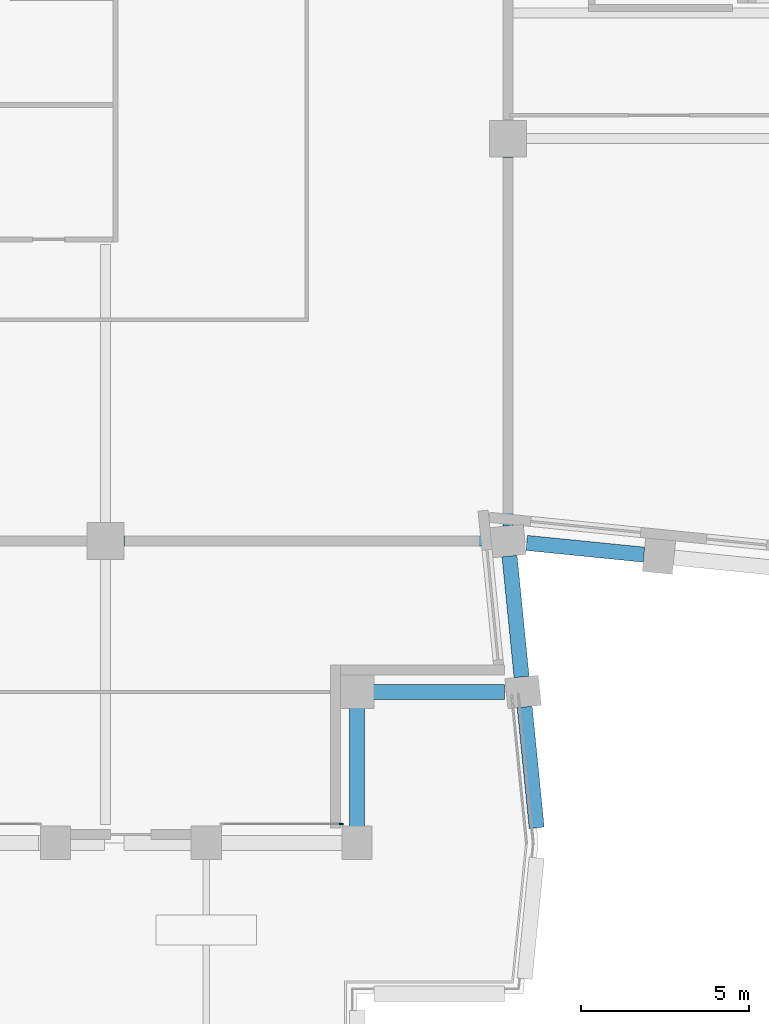
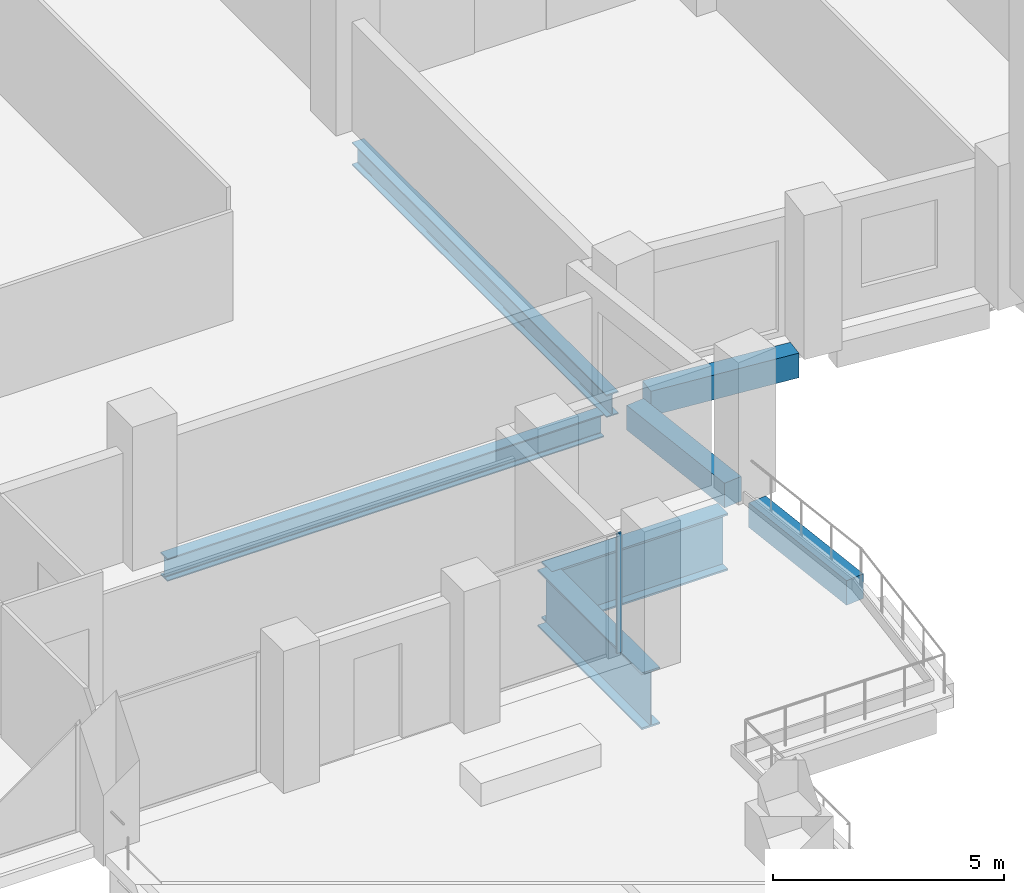
# One storey, part 4 of 19: 7 beams, 1 member, 1 element without a shape of its own.
"""IFC4 building model written with IfcOpenShell, lengths in metres."""

from ifc_helpers import new_model, si_unit, direction, frame, origin, origin_2d, place, context, subcontext, project, spatial, rectangle, i_section, extrude, material, material_profile, profile_set, type_object, element, aggregate, save


model = new_model("IFC4")

# Units and contexts
model_context = context("Model", 3, precision=1e-05, world=origin(), true_north=direction((0.0, 1.0)))
body_context = subcontext(model_context, "Body", "Model", "MODEL_VIEW")
ifc_project = project(units=[si_unit("LENGTHUNIT", "METRE"), si_unit("AREAUNIT", "SQUARE_METRE"), si_unit("VOLUMEUNIT", "CUBIC_METRE"), si_unit("PLANEANGLEUNIT", "RADIAN"), si_unit("MASSUNIT", "GRAM", prefix="KILO")], contexts=[model_context])

# Site, building, storey
site_placement = place(None, origin())
site = spatial("IfcSite", under=ifc_project, at=site_placement, CompositionType="ELEMENT")
building_placement = place(site_placement, origin())
building = spatial("IfcBuilding", under=site, at=building_placement, Name="Brondeck Convention Tower", CompositionType="ELEMENT")
storey_placement = place(building_placement, frame((0.0, 0.0, 198.800048828125)))
storey = spatial("IfcBuildingStorey", under=building, at=storey_placement, Name="L48", CompositionType="ELEMENT", Elevation=198.800048828125)

# Curtain wall, member
ifc_material_1 = material(Name="Aluminium, bronze anodised", Category="aluminium")
curtain_wall_type = type_object("IfcCurtainWallType", Name="Terrace door screen curtain wall", PredefinedType="NOTDEFINED", material=ifc_material_1)
curtain_wall_placement = place(storey_placement, origin())
curtain_wall = element("IfcCurtainWall", 1, at=curtain_wall_placement, inside=storey, type_object=curtain_wall_type, Name="ENV-CW6-L48-B-S18-06", PredefinedType="NOTDEFINED")
ifc_material_profile_1 = material_profile(ifc_material_1, rectangle(XDim=0.050048828125, YDim=0.1201171875, at=origin_2d()), Name="CW6 mullion")
ifc_profile_set_1 = profile_set([ifc_material_profile_1], Name="Aluminium, bronze anodised")
member_type = type_object("IfcMemberType", Name="CW6 mullion", PredefinedType="MULLION", material=ifc_profile_set_1)
member_placement = place(storey_placement, frame((31.02490234375, 18.56005859375, 0.0), z_axis=(0.0, 0.0, 1.0), x_axis=(0.0, -1.0, 0.0)))
member = element("IfcMember", 2, at=member_placement, type_object=member_type, Name="CW6 mullion 1", PredefinedType="MULLION", context=body_context, shape_type="SweptSolid", body=[
    extrude(rectangle(XDim=0.050048828125, YDim=0.1201171875, at=origin_2d()), origin(), (0.0, 0.0, 1.0), 3.14990234375),
])
aggregate(curtain_wall, [member])

# Beams
ifc_material_2 = material(Name="Steel S355", Category="steel")
ifc_material_profile_2 = material_profile(ifc_material_2, i_section(OverallWidth=0.300048828125, OverallDepth=0.60009765625, WebThickness=0.015380859375, FlangeThickness=0.030029296875, FilletRadius=0.027099609375, at=origin_2d()), Name="HEB 600")
ifc_profile_set_2 = profile_set([ifc_material_profile_2], Name="Steel S355")
beam_type_1 = type_object("IfcBeamType", Name="Girder HEB 600", PredefinedType="BEAM", material=ifc_profile_set_2)
beam_1_placement = place(storey_placement, frame((36.0, 27.4521484375, -0.60009765625), z_axis=(0.0, 1.0, 0.0), x_axis=(-1.0, 0.0, 0.0)))
element("IfcBeam", 3, at=beam_1_placement, inside=storey, type_object=beam_type_1, Name="STR-GR-L48-005", PredefinedType="BEAM", context=body_context, shape_type="SweptSolid", body=[
    extrude(i_section(OverallWidth=0.300048828125, OverallDepth=0.60009765625, WebThickness=0.015380859375, FlangeThickness=0.030029296875, FilletRadius=0.027099609375, at=origin_2d()), origin(), (0.0, 0.0, 1.0), 10.997802734375),
])
beam_2_placement = place(storey_placement, frame((24.550048828125, 27.0, -0.60009765625), z_axis=(1.0, 0.0, 0.0), x_axis=(0.0, 1.0, 0.0)))
element("IfcBeam", 4, at=beam_2_placement, inside=storey, type_object=beam_type_1, Name="STR-GR-L48-015", PredefinedType="BEAM", context=body_context, shape_type="SweptSolid", body=[
    extrude(i_section(OverallWidth=0.300048828125, OverallDepth=0.60009765625, WebThickness=0.015380859375, FlangeThickness=0.030029296875, FilletRadius=0.027099609375, at=origin_2d()), origin(), (0.0, 0.0, 1.0), 10.897216796875),
])
ifc_material_3 = material(Name="Concrete C50/60", Category="concrete")
ifc_material_profile_3 = material_profile(ifc_material_3, rectangle(XDim=0.449951171875, YDim=0.64990234375, at=origin_2d()), Name="Precast spandrel 450x650 Concrete C50/60")
ifc_profile_set_3 = profile_set([ifc_material_profile_3], Name="Concrete C50/60")
beam_type_2 = type_object("IfcBeamType", Name="Precast spandrel 450x650 Concrete C50/60", PredefinedType="SPANDREL", material=ifc_profile_set_3)
beam_3_placement = place(storey_placement, frame((36.4052734375, 22.94775390625, -0.324951171875), z_axis=(-0.099543756114, 0.995033185687, 0.0), x_axis=(-0.995033185687, -0.099543756114, 0.0)))
element("IfcBeam", 5, at=beam_3_placement, inside=storey, type_object=beam_type_2, Name="STR-SP-L48-001", PredefinedType="SPANDREL", context=body_context, shape_type="SweptSolid", body=[
    extrude(rectangle(XDim=0.449951171875, YDim=0.64990234375, at=origin_2d()), origin(), (0.0, 0.0, 1.0), 3.62255859375),
])
beam_4_placement = place(storey_placement, frame((36.558349609375, 26.944091796875, -0.324951171875), z_axis=(0.995037878598, -0.099496834901, 0.0), x_axis=(0.099496834901, 0.995037878598, 0.0)))
element("IfcBeam", 6, at=beam_4_placement, inside=storey, type_object=beam_type_2, Name="STR-SP-L48-002", PredefinedType="SPANDREL", context=body_context, shape_type="SweptSolid", body=[
    extrude(rectangle(XDim=0.449951171875, YDim=0.64990234375, at=origin_2d()), origin(), (0.0, 0.0, 1.0), 3.51123046875),
])
beam_5_placement = place(storey_placement, frame((36.494873046875, 22.05224609375, -0.324951171875), z_axis=(0.099470334057, -0.995040528141, 0.0), x_axis=(0.995040528141, 0.099470334057, 0.0)))
element("IfcBeam", 7, at=beam_5_placement, inside=storey, type_object=beam_type_2, Name="STR-SP-L48T1-014", PredefinedType="SPANDREL", context=body_context, shape_type="SweptSolid", body=[
    extrude(rectangle(XDim=0.449951171875, YDim=0.64990234375, at=origin_2d()), origin(), (0.0, 0.0, 1.0), 3.620361328125),
])
ifc_material_4 = material(Name="Steel S460", Category="steel")
ifc_material_profile_4 = material_profile(ifc_material_4, i_section(OverallWidth=0.449951171875, OverallDepth=1.5, WebThickness=0.02490234375, FlangeThickness=0.044921875, at=origin_2d()), Name="PG 1500x450")
ifc_profile_set_4 = profile_set([ifc_material_profile_4], Name="Steel S460")
beam_type_3 = type_object("IfcBeamType", Name="Transfer girder PG 1500x450", PredefinedType="BEAM", material=ifc_profile_set_4)
beam_6_placement = place(storey_placement, frame((31.5, 18.0, -1.050048828125), z_axis=(0.0, 1.0, 0.0), x_axis=(-1.0, 0.0, 0.0)))
element("IfcBeam", 8, at=beam_6_placement, inside=storey, type_object=beam_type_3, Name="Setback transfer girder PG-L48-10", PredefinedType="BEAM", context=body_context, shape_type="SweptSolid", body=[
    extrude(i_section(OverallWidth=0.449951171875, OverallDepth=1.5, WebThickness=0.02490234375, FlangeThickness=0.044921875, at=origin_2d()), origin(), (0.0, 0.0, 1.0), 4.5),
])
beam_7_placement = place(storey_placement, frame((31.5, 22.5, -1.050048828125), z_axis=(1.0, 0.0, 0.0), x_axis=(0.0, 1.0, 0.0)))
element("IfcBeam", 9, at=beam_7_placement, inside=storey, type_object=beam_type_3, Name="Setback transfer girder PG-L48-11", PredefinedType="BEAM", context=body_context, shape_type="SweptSolid", body=[
    extrude(i_section(OverallWidth=0.449951171875, OverallDepth=1.5, WebThickness=0.02490234375, FlangeThickness=0.044921875, at=origin_2d()), origin(), (0.0, 0.0, 1.0), 4.397216796875),
])

save(model, "model.ifc")
